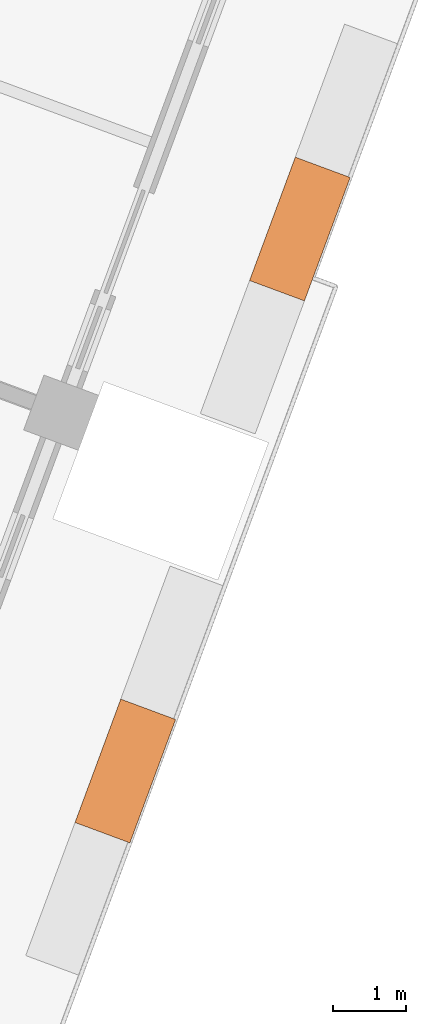
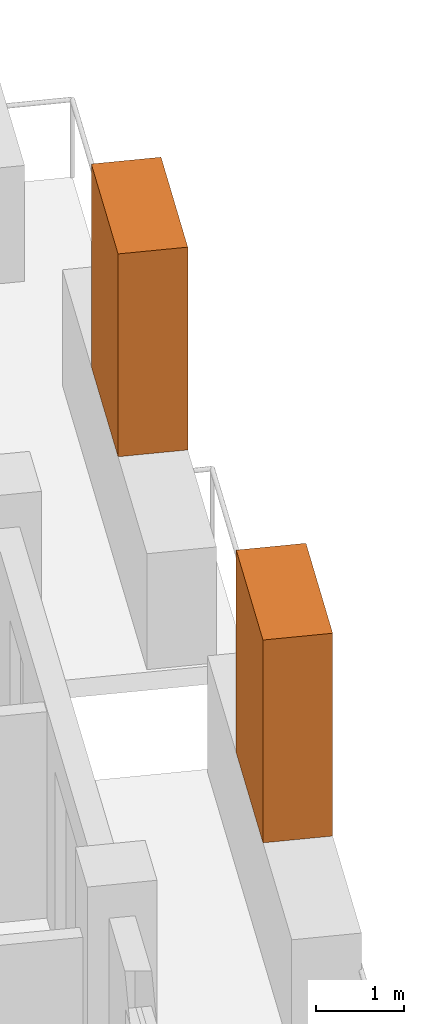
# One storey, part 20 of 20: 2 proxies.
"""IFC4 building model written with IfcOpenShell, lengths in metres."""

from ifc_helpers import new_model, si_unit, direction, frame, origin, origin_2d, place, context, subcontext, project, spatial, rectangle, extrude, element, save


model = new_model("IFC4")

# Units and contexts
model_context = context("Model", 3, precision=1e-05, world=origin(), true_north=direction((0.0, 1.0)))
body_context = subcontext(model_context, "Body", "Model", "MODEL_VIEW")
ifc_project = project(units=[si_unit("LENGTHUNIT", "METRE"), si_unit("AREAUNIT", "SQUARE_METRE"), si_unit("VOLUMEUNIT", "CUBIC_METRE"), si_unit("PLANEANGLEUNIT", "RADIAN"), si_unit("MASSUNIT", "GRAM", prefix="KILO")], contexts=[model_context])

# Site, building, storey
site_placement = place(None, origin())
site = spatial("IfcSite", under=ifc_project, at=site_placement, CompositionType="ELEMENT")
building_placement = place(site_placement, origin())
building = spatial("IfcBuilding", under=site, at=building_placement, Name="Cantera Rosa Tower", CompositionType="ELEMENT")
storey_placement = place(building_placement, frame((0.0, 0.0, 309.699951171875)))
storey = spatial("IfcBuildingStorey", under=building, at=storey_placement, Name="L68", CompositionType="ELEMENT", Elevation=309.699951171875)

# Proxies
for number, where, z_axis, x_axis, name in (
    (1, (18.65380859375, -15.63623046875, 1.60009765625), (0.0, 0.0, 1.0), (0.347481234489, 0.937686936924, 0.0), "TREE L68-15"),
    (2, (21.041015625, -8.223876953125, 1.60009765625), (0.0, 0.0, 1.0), (0.347481234489, 0.937686936924, 0.0), "TREE L68-16"),
):
    element("IfcBuildingElementProxy", number, at=place(storey_placement, frame(where, z_axis=z_axis, x_axis=x_axis)), inside=storey, Name=name, ObjectType="TREE", PredefinedType="USERDEFINED", context=body_context, shape_type="SweptSolid", body=[
        extrude(rectangle(XDim=1.800048828125, YDim=0.800048828125, at=origin_2d()), origin(), (0.0, 0.0, 1.0), 2.800048828125),
    ])

save(model, "model.ifc")
